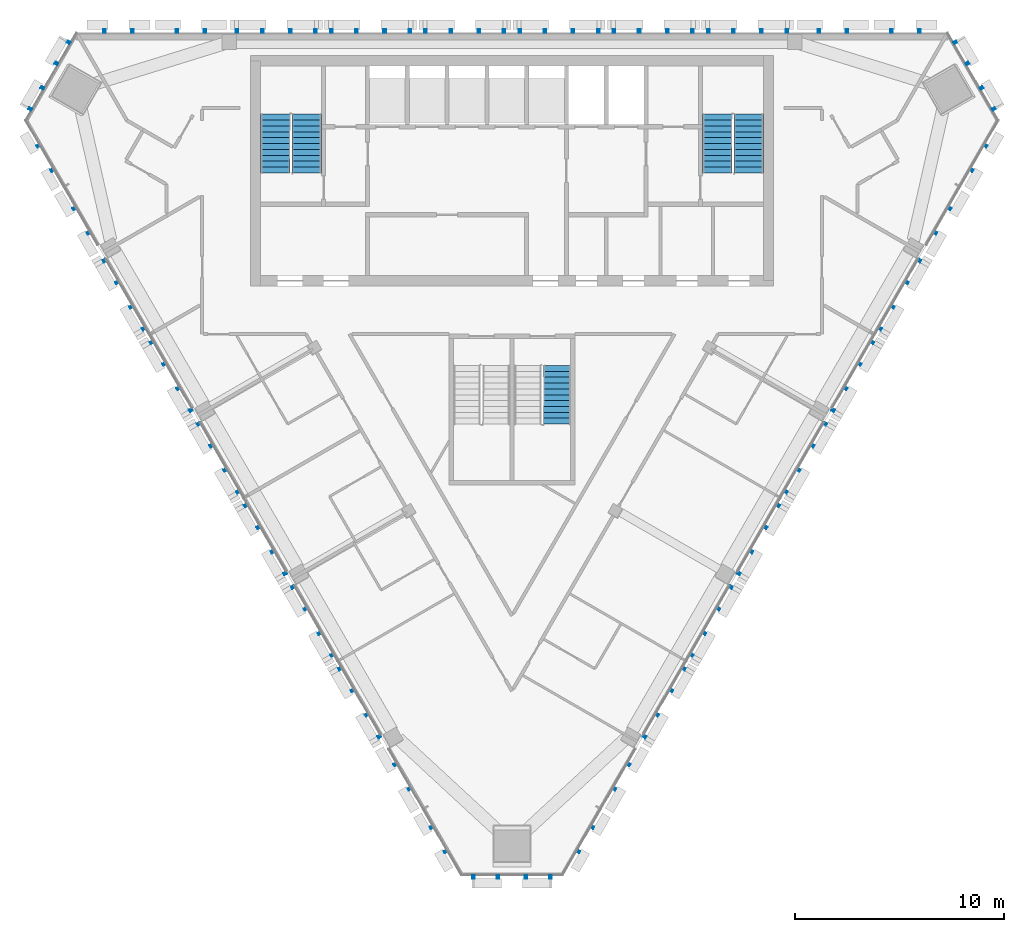
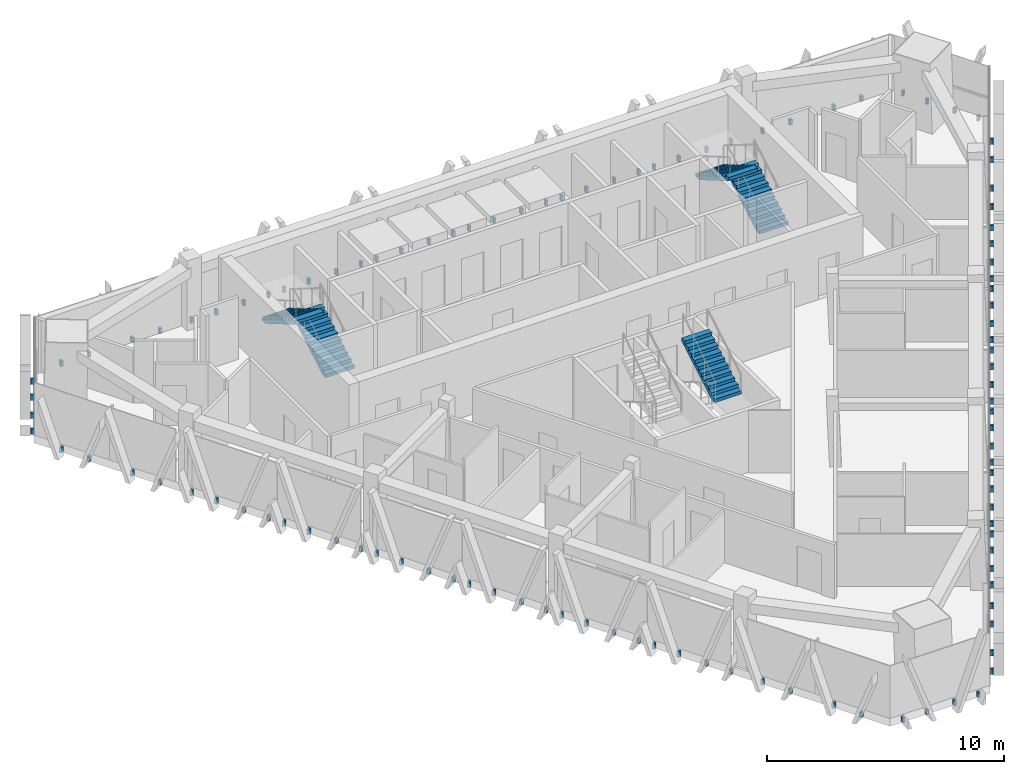
# One storey, part 11 of 14: 6 discrete accessories, 5 stair flights, 3 elements without a shape of their own.
"""IFC4 building model written with IfcOpenShell, lengths in metres."""

from ifc_helpers import new_model, si_unit, direction, frame, origin, place, context, subcontext, project, spatial, polyline, outline, extrude, source, transform, mapped, material, type_object, element, aggregate, save


model = new_model("IFC4")

# Units and contexts
model_context = context("Model", 3, precision=1e-05, world=origin(), true_north=direction((0.0, 1.0)))
body_context = subcontext(model_context, "Body", "Model", "MODEL_VIEW")
ifc_project = project(units=[si_unit("LENGTHUNIT", "METRE"), si_unit("AREAUNIT", "SQUARE_METRE"), si_unit("VOLUMEUNIT", "CUBIC_METRE"), si_unit("PLANEANGLEUNIT", "RADIAN"), si_unit("MASSUNIT", "GRAM", prefix="KILO")], contexts=[model_context])

# Site, building, storey
site_placement = place(None, origin())
site = spatial("IfcSite", under=ifc_project, at=site_placement, CompositionType="ELEMENT")
building_placement = place(site_placement, origin())
building = spatial("IfcBuilding", under=site, at=building_placement, Name="Altiplano Prism Tower", CompositionType="ELEMENT")
storey_placement = place(building_placement, frame((0.0, 0.0, 268.0)))
storey = spatial("IfcBuildingStorey", under=building, at=storey_placement, Name="L69", CompositionType="ELEMENT", Elevation=268.0)

# Stair, stair flights
ifc_material_1 = material(Name="Concrete C40/50", Category="concrete")
stair_type_1 = type_object("IfcStairType", Name="Exit stair 1400", PredefinedType="HALF_TURN_STAIR", material=ifc_material_1)
stair_1_placement = place(storey_placement, origin())
stair_1 = element("IfcStair", 1, at=stair_1_placement, inside=storey, type_object=stair_type_1, Name="L69 Exit Stair 1", PredefinedType="HALF_TURN_STAIR")
stair_flight_type = type_object("IfcStairFlightType", Name="Stair flight concrete 150", PredefinedType="STRAIGHT", material=ifc_material_1)
stair_flight_1_placement = place(storey_placement, frame((75.199951171875, 98.300048828125, 0.0), z_axis=(0.0, 0.0, 1.0), x_axis=(0.0, 1.0, 0.0)))
stair_flight_1 = element("IfcStairFlight", 2, at=stair_flight_1_placement, type_object=stair_flight_type, Name="ST1 flight 1", NumberOfRisers=11, NumberOfTreads=10, PredefinedType="STRAIGHT", RiserHeight=0.163636364, TreadLength=0.28, context=body_context, shape_type="SweptSolid", body=[
    extrude(outline(polyline([(0.0, 0.0), (0.0, 0.16357421875), (0.280029296875, 0.16357421875), (0.280029296875, 0.327392578125), (0.56005859375, 0.327392578125), (0.56005859375, 0.490966796875), (0.840087890625, 0.490966796875), (0.840087890625, 0.654541015625), (1.1201171875, 0.654541015625), (1.1201171875, 0.818115234375), (1.39990234375, 0.818115234375), (1.39990234375, 0.98193359375), (1.679931640625, 0.98193359375), (1.679931640625, 1.1455078125), (1.9599609375, 1.1455078125), (1.9599609375, 1.30908203125), (2.239990234375, 1.30908203125), (2.239990234375, 1.47265625), (2.52001953125, 1.47265625), (2.52001953125, 1.636474609375), (2.800048828125, 1.636474609375), (2.800048828125, 1.800048828125), (2.800048828125, 1.462646484375), (0.297119140625, 0.0), (0.0, 0.0)])), frame((0.0, 0.699951171875, 0.0), z_axis=(0.0, -1.0, 0.0), x_axis=(1.0, 0.0, 0.0)), (0.0, 0.0, 1.0), 1.39990234375),
])
stair_flight_2_placement = place(storey_placement, frame((73.699951171875, 101.10009765625, 1.800048828125), z_axis=(0.0, 0.0, 1.0), x_axis=(0.0, -1.0, 0.0)))
stair_flight_2 = element("IfcStairFlight", 3, at=stair_flight_2_placement, type_object=stair_flight_type, Name="ST1 flight 2", NumberOfRisers=11, NumberOfTreads=10, PredefinedType="STRAIGHT", RiserHeight=0.163636364, TreadLength=0.28, context=body_context, shape_type="SweptSolid", body=[
    extrude(outline(polyline([(0.0, 0.0), (0.0, 0.16357421875), (0.280029296875, 0.16357421875), (0.280029296875, 0.327392578125), (0.56005859375, 0.327392578125), (0.56005859375, 0.490966796875), (0.840087890625, 0.490966796875), (0.840087890625, 0.654541015625), (1.1201171875, 0.654541015625), (1.1201171875, 0.818115234375), (1.39990234375, 0.818115234375), (1.39990234375, 0.98193359375), (1.679931640625, 0.98193359375), (1.679931640625, 1.1455078125), (1.9599609375, 1.1455078125), (1.9599609375, 1.30908203125), (2.239990234375, 1.30908203125), (2.239990234375, 1.47265625), (2.52001953125, 1.47265625), (2.52001953125, 1.636474609375), (2.800048828125, 1.636474609375), (2.800048828125, 1.800048828125), (2.800048828125, 1.462646484375), (0.297119140625, 0.0), (0.0, 0.0)])), frame((0.0, 0.699951171875, 0.0), z_axis=(0.0, -1.0, 0.0), x_axis=(1.0, 0.0, 0.0)), (0.0, 0.0, 1.0), 1.39990234375),
])
aggregate(stair_1, [stair_flight_1, stair_flight_2])

stair_2_placement = place(storey_placement, origin())
stair_2 = element("IfcStair", 4, at=stair_2_placement, inside=storey, type_object=stair_type_1, Name="L69 Exit Stair 2", PredefinedType="HALF_TURN_STAIR")
stair_flight_3_placement = place(storey_placement, frame((96.300048828125, 98.300048828125, 0.0), z_axis=(0.0, 0.0, 1.0), x_axis=(0.0, 1.0, 0.0)))
stair_flight_3 = element("IfcStairFlight", 5, at=stair_flight_3_placement, type_object=stair_flight_type, Name="ST2 flight 1", NumberOfRisers=11, NumberOfTreads=10, PredefinedType="STRAIGHT", RiserHeight=0.163636364, TreadLength=0.28, context=body_context, shape_type="SweptSolid", body=[
    extrude(outline(polyline([(0.0, 0.0), (0.0, 0.16357421875), (0.280029296875, 0.16357421875), (0.280029296875, 0.327392578125), (0.56005859375, 0.327392578125), (0.56005859375, 0.490966796875), (0.840087890625, 0.490966796875), (0.840087890625, 0.654541015625), (1.1201171875, 0.654541015625), (1.1201171875, 0.818115234375), (1.39990234375, 0.818115234375), (1.39990234375, 0.98193359375), (1.679931640625, 0.98193359375), (1.679931640625, 1.1455078125), (1.9599609375, 1.1455078125), (1.9599609375, 1.30908203125), (2.239990234375, 1.30908203125), (2.239990234375, 1.47265625), (2.52001953125, 1.47265625), (2.52001953125, 1.636474609375), (2.800048828125, 1.636474609375), (2.800048828125, 1.800048828125), (2.800048828125, 1.462646484375), (0.297119140625, 0.0), (0.0, 0.0)])), frame((0.0, 0.699951171875, 0.0), z_axis=(0.0, -1.0, 0.0), x_axis=(1.0, 0.0, 0.0)), (0.0, 0.0, 1.0), 1.39990234375),
])
stair_flight_4_placement = place(storey_placement, frame((94.800048828125, 101.10009765625, 1.800048828125), z_axis=(0.0, 0.0, 1.0), x_axis=(0.0, -1.0, 0.0)))
stair_flight_4 = element("IfcStairFlight", 6, at=stair_flight_4_placement, type_object=stair_flight_type, Name="ST2 flight 2", NumberOfRisers=11, NumberOfTreads=10, PredefinedType="STRAIGHT", RiserHeight=0.163636364, TreadLength=0.28, context=body_context, shape_type="SweptSolid", body=[
    extrude(outline(polyline([(0.0, 0.0), (0.0, 0.16357421875), (0.280029296875, 0.16357421875), (0.280029296875, 0.327392578125), (0.56005859375, 0.327392578125), (0.56005859375, 0.490966796875), (0.840087890625, 0.490966796875), (0.840087890625, 0.654541015625), (1.1201171875, 0.654541015625), (1.1201171875, 0.818115234375), (1.39990234375, 0.818115234375), (1.39990234375, 0.98193359375), (1.679931640625, 0.98193359375), (1.679931640625, 1.1455078125), (1.9599609375, 1.1455078125), (1.9599609375, 1.30908203125), (2.239990234375, 1.30908203125), (2.239990234375, 1.47265625), (2.52001953125, 1.47265625), (2.52001953125, 1.636474609375), (2.800048828125, 1.636474609375), (2.800048828125, 1.800048828125), (2.800048828125, 1.462646484375), (0.297119140625, 0.0), (0.0, 0.0)])), frame((0.0, 0.699951171875, 0.0), z_axis=(0.0, -1.0, 0.0), x_axis=(1.0, 0.0, 0.0)), (0.0, 0.0, 1.0), 1.39990234375),
])
aggregate(stair_2, [stair_flight_3, stair_flight_4])

# Stair, stair flight
stair_type_2 = type_object("IfcStairType", Name="Exit stair 1300", PredefinedType="HALF_TURN_STAIR", material=ifc_material_1)
stair_3_placement = place(storey_placement, origin())
stair_3 = element("IfcStair", 7, at=stair_3_placement, inside=storey, type_object=stair_type_2, Name="L69 Exit Stair 3B", PredefinedType="HALF_TURN_STAIR")
stair_flight_5_placement = place(storey_placement, frame((87.14990234375, 86.300048828125, 1.800048828125), z_axis=(0.0, 0.0, 1.0), x_axis=(0.0, 1.0, 0.0)))
stair_flight_5 = element("IfcStairFlight", 8, at=stair_flight_5_placement, type_object=stair_flight_type, Name="ST3B flight 2", NumberOfRisers=11, NumberOfTreads=10, PredefinedType="STRAIGHT", RiserHeight=0.163636364, TreadLength=0.28, context=body_context, shape_type="SweptSolid", body=[
    extrude(outline(polyline([(0.0, 0.0), (0.0, 0.16357421875), (0.280029296875, 0.16357421875), (0.280029296875, 0.327392578125), (0.56005859375, 0.327392578125), (0.56005859375, 0.490966796875), (0.840087890625, 0.490966796875), (0.840087890625, 0.654541015625), (1.1201171875, 0.654541015625), (1.1201171875, 0.818115234375), (1.39990234375, 0.818115234375), (1.39990234375, 0.98193359375), (1.679931640625, 0.98193359375), (1.679931640625, 1.1455078125), (1.9599609375, 1.1455078125), (1.9599609375, 1.30908203125), (2.239990234375, 1.30908203125), (2.239990234375, 1.47265625), (2.52001953125, 1.47265625), (2.52001953125, 1.636474609375), (2.800048828125, 1.636474609375), (2.800048828125, 1.800048828125), (2.800048828125, 1.462646484375), (0.297119140625, 0.0), (0.0, 0.0)])), frame((0.0, 0.64990234375, 0.0), z_axis=(0.0, -1.0, 0.0), x_axis=(1.0, 0.0, 0.0)), (0.0, 0.0, 1.0), 1.300048828125),
])
aggregate(stair_3, [stair_flight_5])

# Discrete accessories
ifc_material_2 = material(Name="Stainless steel", Category="steel")
discrete_accessory_type = type_object("IfcDiscreteAccessoryType", Name="Stone fin fixing prongs", PredefinedType="USERDEFINED", material=ifc_material_2)
shared_shape_1 = source(origin(), body_context, "Body", "SweptSolid", [
    extrude(outline(polyline([(-0.73291015625, 0.06005859375), (-0.61279296875, 0.06005859375), (-0.61279296875, 0.340087890625), (-0.73291015625, 0.340087890625), (-0.73291015625, 0.06005859375)])), frame((0.0, 0.0, 0.0), z_axis=(0.0, -1.0, 0.0), x_axis=(1.0, 0.0, 0.0)), (0.0, 0.0, 1.0), 0.14990234375),
    extrude(outline(polyline([(0.61279296875, 0.06005859375), (0.73291015625, 0.06005859375), (0.73291015625, 0.340087890625), (0.61279296875, 0.340087890625), (0.61279296875, 0.06005859375)])), frame((0.0, 0.0, 0.0), z_axis=(0.0, -1.0, 0.0), x_axis=(1.0, 0.0, 0.0)), (0.0, 0.0, 1.0), 0.14990234375),
])
shared_shape_2 = source(origin(), body_context, "Body", "SweptSolid", [
    extrude(outline(polyline([(-0.73291015625, 0.06005859375), (-0.61279296875, 0.06005859375), (-0.61279296875, 0.340087890625), (-0.73291015625, 0.340087890625), (-0.73291015625, 0.06005859375)])), frame((0.0, 0.0, 0.0), z_axis=(0.0, -1.0, 0.0), x_axis=(1.0, 0.0, 0.0)), (0.0, 0.0, 1.0), 0.14990234375),
    extrude(outline(polyline([(0.61279296875, 0.06005859375), (0.73291015625, 0.06005859375), (0.73291015625, 0.340087890625), (0.61279296875, 0.340087890625), (0.61279296875, 0.06005859375)])), frame((0.0, 0.0, 0.0), z_axis=(0.0, -1.0, 0.0), x_axis=(1.0, 0.0, 0.0)), (0.0, 0.0, 1.0), 0.14990234375),
])
shared_shape_3 = source(origin(), body_context, "Body", "SweptSolid", [
    extrude(outline(polyline([(-1.932861328125, 0.06005859375), (-1.812744140625, 0.06005859375), (-1.812744140625, 0.340087890625), (-1.932861328125, 0.340087890625), (-1.932861328125, 0.06005859375)])), frame((0.0, 0.0, 0.0), z_axis=(0.0, -1.0, 0.0), x_axis=(1.0, 0.0, 0.0)), (0.0, 0.0, 1.0), 0.14990234375),
    extrude(outline(polyline([(-0.73291015625, 0.06005859375), (-0.61279296875, 0.06005859375), (-0.61279296875, 0.340087890625), (-0.73291015625, 0.340087890625), (-0.73291015625, 0.06005859375)])), frame((0.0, 0.0, 0.0), z_axis=(0.0, -1.0, 0.0), x_axis=(1.0, 0.0, 0.0)), (0.0, 0.0, 1.0), 0.14990234375),
    extrude(outline(polyline([(0.61279296875, 0.06005859375), (0.73291015625, 0.06005859375), (0.73291015625, 0.340087890625), (0.61279296875, 0.340087890625), (0.61279296875, 0.06005859375)])), frame((0.0, 0.0, 0.0), z_axis=(0.0, -1.0, 0.0), x_axis=(1.0, 0.0, 0.0)), (0.0, 0.0, 1.0), 0.14990234375),
    extrude(outline(polyline([(1.812744140625, 0.06005859375), (1.932861328125, 0.06005859375), (1.932861328125, 0.340087890625), (1.812744140625, 0.340087890625), (1.812744140625, 0.06005859375)])), frame((0.0, 0.0, 0.0), z_axis=(0.0, -1.0, 0.0), x_axis=(1.0, 0.0, 0.0)), (0.0, 0.0, 1.0), 0.14990234375),
])
discrete_accessory_1_placement = place(storey_placement, origin())
element("IfcDiscreteAccessory", 9, at=discrete_accessory_1_placement, inside=storey, type_object=discrete_accessory_type, Name="Fin fixings L69 north face", ObjectType="BRACKET", PredefinedType="USERDEFINED", context=body_context, shape_type="MappedRepresentation", body=[
    mapped(shared_shape_1, transform((103.787109375, 105.0, -0.39990234375), x_axis=(-1.0, 0.0, 0.0), y_axis=(0.0, -1.0, 0.0), z_axis=(0.0, 0.0, 1.0))),
    mapped(shared_shape_2, transform((100.3291015625, 105.0, -0.39990234375), x_axis=(-1.0, 0.0, 0.0), y_axis=(0.0, -1.0, 0.0), z_axis=(0.0, 0.0, 1.0))),
    mapped(shared_shape_3, transform((96.25, 105.0, -0.39990234375), x_axis=(-1.0, 0.0, 0.0), y_axis=(0.0, -1.0, 0.0), z_axis=(0.0, 0.0, 1.0))),
    mapped(shared_shape_3, transform((91.75, 105.0, -0.39990234375), x_axis=(-1.0, 0.0, 0.0), y_axis=(0.0, -1.0, 0.0), z_axis=(0.0, 0.0, 1.0))),
    mapped(shared_shape_3, transform((87.25, 105.0, -0.39990234375), x_axis=(-1.0, 0.0, 0.0), y_axis=(0.0, -1.0, 0.0), z_axis=(0.0, 0.0, 1.0))),
    mapped(shared_shape_3, transform((82.75, 105.0, -0.39990234375), x_axis=(-1.0, 0.0, 0.0), y_axis=(0.0, -1.0, 0.0), z_axis=(0.0, 0.0, 1.0))),
    mapped(shared_shape_3, transform((78.25, 105.0, -0.39990234375), x_axis=(-1.0, 0.0, 0.0), y_axis=(0.0, -1.0, 0.0), z_axis=(0.0, 0.0, 1.0))),
    mapped(shared_shape_3, transform((73.75, 105.0, -0.39990234375), x_axis=(-1.0, 0.0, 0.0), y_axis=(0.0, -1.0, 0.0), z_axis=(0.0, 0.0, 1.0))),
    mapped(shared_shape_2, transform((69.6708984375, 105.0, -0.39990234375), x_axis=(-1.0, 0.0, 0.0), y_axis=(0.0, -1.0, 0.0), z_axis=(0.0, 0.0, 1.0))),
    mapped(shared_shape_1, transform((66.212890625, 105.0, -0.39990234375), x_axis=(-1.0, 0.0, 0.0), y_axis=(0.0, -1.0, 0.0), z_axis=(0.0, 0.0, 1.0))),
])
discrete_accessory_2_placement = place(storey_placement, origin())
element("IfcDiscreteAccessory", 10, at=discrete_accessory_2_placement, inside=storey, type_object=discrete_accessory_type, Name="Fin fixings L69 south-west face", ObjectType="BRACKET", PredefinedType="USERDEFINED", context=body_context, shape_type="MappedRepresentation", body=[
    mapped(shared_shape_1, transform((62.77490234375, 99.044921875, -0.39990234375), x_axis=(0.499999992175, -0.866025408302, 0.0), y_axis=(0.866025408302, 0.499999992175, 0.0), z_axis=(0.0, 0.0, 1.0))),
    mapped(shared_shape_2, transform((64.50390625, 96.05029296875, -0.39990234375), x_axis=(0.499999992175, -0.866025408302, 0.0), y_axis=(0.866025408302, 0.499999992175, 0.0), z_axis=(0.0, 0.0, 1.0))),
    mapped(shared_shape_3, transform((66.543212890625, 92.517578125, -0.39990234375), x_axis=(0.499999992175, -0.866025408302, 0.0), y_axis=(0.866025408302, 0.499999992175, 0.0), z_axis=(0.0, 0.0, 1.0))),
    mapped(shared_shape_3, transform((68.793212890625, 88.62060546875, -0.39990234375), x_axis=(0.499999992175, -0.866025408302, 0.0), y_axis=(0.866025408302, 0.499999992175, 0.0), z_axis=(0.0, 0.0, 1.0))),
    mapped(shared_shape_3, transform((71.043212890625, 84.723388671875, -0.39990234375), x_axis=(0.499999992175, -0.866025408302, 0.0), y_axis=(0.866025408302, 0.499999992175, 0.0), z_axis=(0.0, 0.0, 1.0))),
    mapped(shared_shape_3, transform((73.293212890625, 80.826416015625, -0.39990234375), x_axis=(0.499999992175, -0.866025408302, 0.0), y_axis=(0.866025408302, 0.499999992175, 0.0), z_axis=(0.0, 0.0, 1.0))),
    mapped(shared_shape_3, transform((75.543212890625, 76.92919921875, -0.39990234375), x_axis=(0.499999992175, -0.866025408302, 0.0), y_axis=(0.866025408302, 0.499999992175, 0.0), z_axis=(0.0, 0.0, 1.0))),
    mapped(shared_shape_3, transform((77.793212890625, 73.0322265625, -0.39990234375), x_axis=(0.499999992175, -0.866025408302, 0.0), y_axis=(0.866025408302, 0.499999992175, 0.0), z_axis=(0.0, 0.0, 1.0))),
    mapped(shared_shape_2, transform((79.832763671875, 69.49951171875, -0.39990234375), x_axis=(0.499999992175, -0.866025408302, 0.0), y_axis=(0.866025408302, 0.499999992175, 0.0), z_axis=(0.0, 0.0, 1.0))),
    mapped(shared_shape_1, transform((81.561767578125, 66.5048828125, -0.39990234375), x_axis=(0.499999992175, -0.866025408302, 0.0), y_axis=(0.866025408302, 0.499999992175, 0.0), z_axis=(0.0, 0.0, 1.0))),
])
discrete_accessory_3_placement = place(storey_placement, origin())
element("IfcDiscreteAccessory", 11, at=discrete_accessory_3_placement, inside=storey, type_object=discrete_accessory_type, Name="Fin fixings L69 south-east face", ObjectType="BRACKET", PredefinedType="USERDEFINED", context=body_context, shape_type="MappedRepresentation", body=[
    mapped(shared_shape_1, transform((88.438232421875, 66.5048828125, -0.39990234375), x_axis=(0.499999992175, 0.866025408302, 0.0), y_axis=(-0.866025408302, 0.499999992175, 0.0), z_axis=(0.0, 0.0, 1.0))),
    mapped(shared_shape_2, transform((90.167236328125, 69.49951171875, -0.39990234375), x_axis=(0.499999992175, 0.866025408302, 0.0), y_axis=(-0.866025408302, 0.499999992175, 0.0), z_axis=(0.0, 0.0, 1.0))),
    mapped(shared_shape_3, transform((92.206787109375, 73.0322265625, -0.39990234375), x_axis=(0.499999992175, 0.866025408302, 0.0), y_axis=(-0.866025408302, 0.499999992175, 0.0), z_axis=(0.0, 0.0, 1.0))),
    mapped(shared_shape_3, transform((94.456787109375, 76.92919921875, -0.39990234375), x_axis=(0.499999992175, 0.866025408302, 0.0), y_axis=(-0.866025408302, 0.499999992175, 0.0), z_axis=(0.0, 0.0, 1.0))),
    mapped(shared_shape_3, transform((96.706787109375, 80.826416015625, -0.39990234375), x_axis=(0.499999992175, 0.866025408302, 0.0), y_axis=(-0.866025408302, 0.499999992175, 0.0), z_axis=(0.0, 0.0, 1.0))),
    mapped(shared_shape_3, transform((98.956787109375, 84.723388671875, -0.39990234375), x_axis=(0.499999992175, 0.866025408302, 0.0), y_axis=(-0.866025408302, 0.499999992175, 0.0), z_axis=(0.0, 0.0, 1.0))),
    mapped(shared_shape_3, transform((101.206787109375, 88.62060546875, -0.39990234375), x_axis=(0.499999992175, 0.866025408302, 0.0), y_axis=(-0.866025408302, 0.499999992175, 0.0), z_axis=(0.0, 0.0, 1.0))),
    mapped(shared_shape_3, transform((103.456787109375, 92.517578125, -0.39990234375), x_axis=(0.499999992175, 0.866025408302, 0.0), y_axis=(-0.866025408302, 0.499999992175, 0.0), z_axis=(0.0, 0.0, 1.0))),
    mapped(shared_shape_2, transform((105.49609375, 96.05029296875, -0.39990234375), x_axis=(0.499999992175, 0.866025408302, 0.0), y_axis=(-0.866025408302, 0.499999992175, 0.0), z_axis=(0.0, 0.0, 1.0))),
    mapped(shared_shape_1, transform((107.22509765625, 99.044921875, -0.39990234375), x_axis=(0.499999992175, 0.866025408302, 0.0), y_axis=(-0.866025408302, 0.499999992175, 0.0), z_axis=(0.0, 0.0, 1.0))),
])
shared_shape_4 = source(origin(), body_context, "Body", "SweptSolid", [
    extrude(outline(polyline([(-0.73291015625, 0.06005859375), (-0.61279296875, 0.06005859375), (-0.61279296875, 0.340087890625), (-0.73291015625, 0.340087890625), (-0.73291015625, 0.06005859375)])), frame((0.0, 0.0, 0.0), z_axis=(0.0, -1.0, 0.0), x_axis=(1.0, 0.0, 0.0)), (0.0, 0.0, 1.0), 0.14990234375),
    extrude(outline(polyline([(-1.889892578125, 0.06005859375), (-1.78271484375, 0.06005859375), (-1.78271484375, 0.340087890625), (-1.889892578125, 0.340087890625), (-1.889892578125, 0.06005859375)])), frame((0.0, 0.0, 0.0), z_axis=(0.0, -1.0, 0.0), x_axis=(1.0, 0.0, 0.0)), (0.0, 0.0, 1.0), 0.14990234375),
    extrude(outline(polyline([(0.61279296875, 0.06005859375), (0.73291015625, 0.06005859375), (0.73291015625, 0.340087890625), (0.61279296875, 0.340087890625), (0.61279296875, 0.06005859375)])), frame((0.0, 0.0, 0.0), z_axis=(0.0, -1.0, 0.0), x_axis=(1.0, 0.0, 0.0)), (0.0, 0.0, 1.0), 0.14990234375),
    extrude(outline(polyline([(1.78271484375, 0.06005859375), (1.889892578125, 0.06005859375), (1.889892578125, 0.340087890625), (1.78271484375, 0.340087890625), (1.78271484375, 0.06005859375)])), frame((0.0, 0.0, 0.0), z_axis=(0.0, -1.0, 0.0), x_axis=(1.0, 0.0, 0.0)), (0.0, 0.0, 1.0), 0.14990234375),
])
discrete_accessory_4_placement = place(storey_placement, origin())
element("IfcDiscreteAccessory", 12, at=discrete_accessory_4_placement, inside=storey, type_object=discrete_accessory_type, Name="Fin fixings L69 north-west chamfer", ObjectType="BRACKET", PredefinedType="USERDEFINED", context=body_context, shape_type="MappedRepresentation", body=[
    mapped(shared_shape_4, transform((62.97216796875, 102.901123046875, -0.39990234375), x_axis=(-0.500000030951, -0.866025385915, 0.0), y_axis=(0.866025385915, -0.500000030951, 0.0), z_axis=(0.0, 0.0, 1.0))),
])
discrete_accessory_5_placement = place(storey_placement, origin())
element("IfcDiscreteAccessory", 13, at=discrete_accessory_5_placement, inside=storey, type_object=discrete_accessory_type, Name="Fin fixings L69 south chamfer", ObjectType="BRACKET", PredefinedType="USERDEFINED", context=body_context, shape_type="MappedRepresentation", body=[
    mapped(shared_shape_4, transform((85.0, 64.74755859375, -0.39990234375), x_axis=(1.0, 0.0, 0.0), y_axis=(0.0, 1.0, 0.0), z_axis=(0.0, 0.0, 1.0))),
])
discrete_accessory_6_placement = place(storey_placement, origin())
element("IfcDiscreteAccessory", 14, at=discrete_accessory_6_placement, inside=storey, type_object=discrete_accessory_type, Name="Fin fixings L69 north-east chamfer", ObjectType="BRACKET", PredefinedType="USERDEFINED", context=body_context, shape_type="MappedRepresentation", body=[
    mapped(shared_shape_4, transform((107.02783203125, 102.901123046875, -0.39990234375), x_axis=(-0.500000030951, 0.866025385915, 0.0), y_axis=(-0.866025385915, -0.500000030951, 0.0), z_axis=(0.0, 0.0, 1.0))),
])

save(model, "model.ifc")
